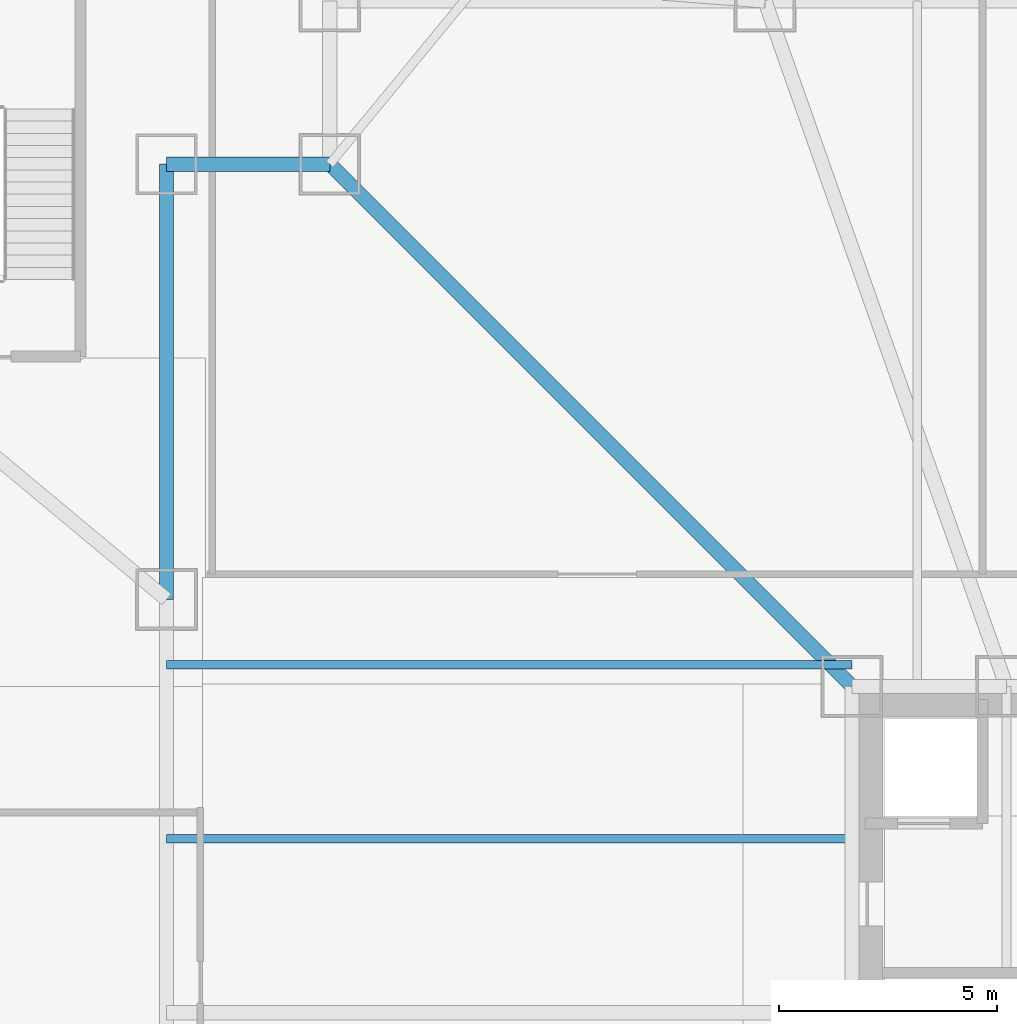
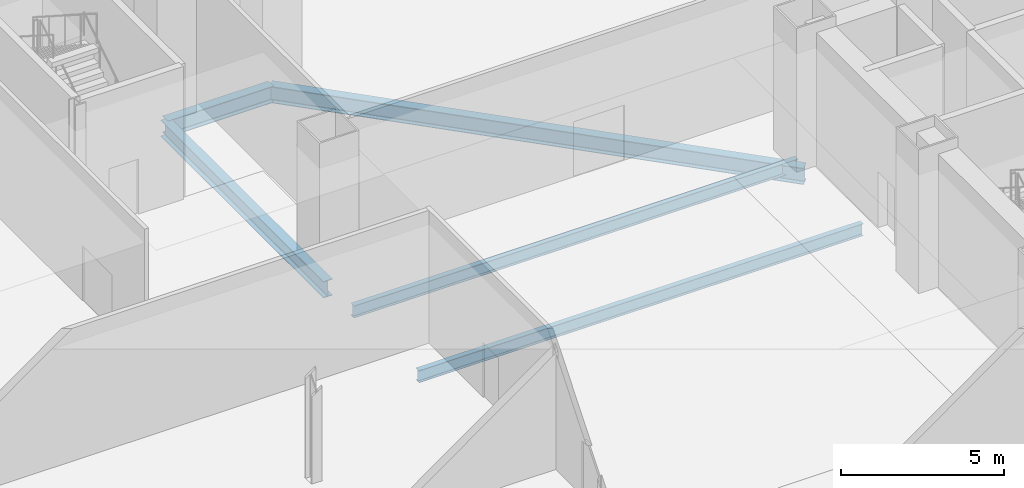
# One storey, part 12 of 36: 5 beams.
"""IFC4 building model written with IfcOpenShell, lengths in metres."""

import ifcopenshell
import ifcopenshell.guid

model = None  # the IFC model being written
_history = None  # IfcOwnerHistory: only IFC2X3 demands one
_inside = {}  # id of a spatial element -> (the spatial element, [elements in it])
_under = {}  # id of a project, library or spatial element -> (it, [spatial elements below it])
_declared = {}  # id of a project -> (the project, [libraries it declares])
_typed = {}  # id of a type object -> (the type object, [elements of that type])
_made_of = {}  # id of a material, layer set ... -> (it, [elements and type objects made of it])


def new_model(schema):
    """Start an empty IFC model of exactly this schema.

    Asked for "IFC4X3", IfcOpenShell would pick the latest addendum, in which some entities
    have other attributes; the version numbers below select the first issue.
    IFC2X3 requires an IfcOwnerHistory on every rooted entity: one is made here for all.
    """
    global model, _history
    if schema == "IFC4X3":
        model = ifcopenshell.file(schema_version=(4, 3, 0, 0))
    else:
        model = ifcopenshell.file(schema=schema)
    _inside.clear()
    _under.clear()
    _declared.clear()
    _typed.clear()
    _made_of.clear()
    _history = None
    if model.schema == "IFC2X3":
        org = make("IfcOrganization", Name="unknown")
        user = make(
            "IfcPersonAndOrganization",
            ThePerson=make("IfcPerson", FamilyName="unknown"),
            TheOrganization=org,
        )
        app = make(
            "IfcApplication",
            ApplicationDeveloper=org,
            Version="unknown",
            ApplicationFullName="unknown",
            ApplicationIdentifier="unknown",
        )
        _history = make(
            "IfcOwnerHistory",
            OwningUser=user,
            OwningApplication=app,
            ChangeAction="ADDED",
            CreationDate=0,
        )
    return model


def make(cls, **values):
    """One entity of the class cls with the attributes given. An attribute that is None is left unset."""
    return model.create_entity(
        cls, **{name: value for name, value in values.items() if value is not None}
    )


def rooted(cls, **values):
    """An entity with a GlobalId (a new one), such as an element, a storey or a relation."""
    return make(cls, GlobalId=ifcopenshell.guid.new(), OwnerHistory=_history, **values)


def si_unit(unit_type, name, prefix=None):
    """IfcSIUnit, for example si_unit("LENGTHUNIT", "METRE", prefix="MILLI")."""
    return make("IfcSIUnit", UnitType=unit_type, Prefix=prefix, Name=name)


def assignment(units):
    """IfcUnitAssignment: the units of a project."""
    return None if units is None else make("IfcUnitAssignment", Units=units)


def point(xyz):
    """IfcCartesianPoint."""
    return None if xyz is None else make("IfcCartesianPoint", Coordinates=xyz)


def direction(xyz):
    """IfcDirection."""
    return None if xyz is None else make("IfcDirection", DirectionRatios=xyz)


def frame(location, z_axis=None, x_axis=None):
    """IfcAxis2Placement3D, a coordinate frame: its origin and axes. An axis left out is left unset."""
    return make(
        "IfcAxis2Placement3D",
        Location=point(location),
        Axis=direction(z_axis),
        RefDirection=direction(x_axis),
    )


def frame_2d(location, x_axis=None):
    """IfcAxis2Placement2D, a coordinate frame in the plane: its origin and x axis."""
    return make(
        "IfcAxis2Placement2D", Location=point(location), RefDirection=direction(x_axis)
    )


def origin():
    """The frame at (0, 0, 0) with its axes left unset."""
    return frame((0.0, 0.0, 0.0))


def origin_2d():
    """The frame at (0, 0) in the plane with its x axis left unset."""
    return frame_2d((0.0, 0.0))


def place(relative_to, where):
    """IfcLocalPlacement: puts the frame where relative to a parent placement (None: the world)."""
    return make(
        "IfcLocalPlacement", PlacementRelTo=relative_to, RelativePlacement=where
    )


def context(
    kind, dimensions, precision=None, world=None, true_north=None, identifier=None
):
    """IfcGeometricRepresentationContext, for example the 3D "Model" context."""
    return make(
        "IfcGeometricRepresentationContext",
        ContextIdentifier=identifier,
        ContextType=kind,
        CoordinateSpaceDimension=dimensions,
        Precision=precision,
        WorldCoordinateSystem=world,
        TrueNorth=true_north,
    )


def subcontext(parent, identifier, kind, view, scale=None):
    """IfcGeometricRepresentationSubContext, for example "Body" below "Model"."""
    return make(
        "IfcGeometricRepresentationSubContext",
        ContextIdentifier=identifier,
        ContextType=kind,
        ParentContext=parent,
        TargetScale=scale,
        TargetView=view,
    )


def project(units=None, contexts=None):
    """IfcProject with its units and contexts."""
    return rooted(
        "IfcProject",
        Name="project",
        RepresentationContexts=contexts,
        UnitsInContext=assignment(units),
    )


def spatial(cls, under=None, at=None, **own):
    """A site, building, storey or space (cls), placed at a placement, below another one or the project."""
    s = rooted(cls, ObjectPlacement=at, **own)
    if under is not None:
        _under.setdefault(under.id(), (under, []))[1].append(s)
    return s


def profile(cls, at=None, kind="AREA", **sizes):
    """A parametric profile (cls). Its sizes go by their IFC names, for example OverallWidth=200.0."""
    return make(cls, ProfileType=kind, Position=at, **sizes)


def i_section(**sizes):
    """IfcIShapeProfileDef."""
    return profile("IfcIShapeProfileDef", **sizes)


def extrude(swept, where, along, depth):
    """IfcExtrudedAreaSolid: the profile swept, set in the frame where, extruded along a direction by depth."""
    return make(
        "IfcExtrudedAreaSolid",
        SweptArea=swept,
        Position=where,
        ExtrudedDirection=direction(along),
        Depth=depth,
    )


def shape(context_of_items, identifier, shape_type, items):
    """IfcShapeRepresentation: the items that make up one representation, for example the "Body"."""
    return make(
        "IfcShapeRepresentation",
        ContextOfItems=context_of_items,
        RepresentationIdentifier=identifier,
        RepresentationType=shape_type,
        Items=items,
    )


def material(Name=None, Category=None):
    """IfcMaterial."""
    return make("IfcMaterial", Name=Name, Category=Category)


def material_profile(
    of_material, cross_section, Name=None, Category=None, Priority=None
):
    """IfcMaterialProfile: a cross section and its material."""
    return make(
        "IfcMaterialProfile",
        Name=Name,
        Material=of_material,
        Profile=cross_section,
        Priority=Priority,
        Category=Category,
    )


def profile_set(profiles, Name=None, composite=None):
    """IfcMaterialProfileSet."""
    return make(
        "IfcMaterialProfileSet",
        Name=Name,
        MaterialProfiles=profiles,
        CompositeProfile=composite,
    )


def made_of(thing, what):
    """Note that an element or type object is made of a material, layer set ...; save() writes the relation."""
    if what is not None:
        _made_of.setdefault(what.id(), (what, []))[1].append(thing)
    return thing


def type_object(cls, material=None, **own):
    """A type object (cls), such as IfcWallType, which elements share."""
    return made_of(rooted(cls, **own), material)


def element(
    cls,
    number,
    at=None,
    inside=None,
    cuts=None,
    type_object=None,
    material=None,
    context=None,
    identifier="Body",
    shape_type=None,
    held_by="IfcProductDefinitionShape",
    body=None,
    shapes=None,
    **own,
):
    """One element of the class cls, such as IfcWall. Its Tag is "e" and its number.

    at: its placement. inside: the storey or other place that contains it. cuts: it is an
    opening in that element (IfcRelVoidsElement). A single representation is given by context,
    identifier, shape_type and body (its items); several are given by shapes. held_by: the class
    of the entity that holds the representations. save() writes the other relations.
    """
    e = rooted(cls, Tag="e%d" % number, ObjectPlacement=at, **own)
    if body is not None:
        shapes = [shape(context, identifier, shape_type, body)]
    if shapes is not None:
        e.Representation = make(held_by, Representations=shapes)
    if inside is not None:
        _inside.setdefault(inside.id(), (inside, []))[1].append(e)
    if cuts is not None:
        rooted(
            "IfcRelVoidsElement", RelatingBuildingElement=cuts, RelatedOpeningElement=e
        )
    if type_object is not None:
        _typed.setdefault(type_object.id(), (type_object, []))[1].append(e)
    return made_of(e, material)


def aggregate(whole, parts):
    """IfcRelAggregates: a whole, such as a stair, and the parts it consists of."""
    return rooted("IfcRelAggregates", RelatingObject=whole, RelatedObjects=parts)


def save(model, path):
    """Write the relations noted so far, then the file.

    IfcRelAggregates (storeys below a building ...), IfcRelContainedInSpatialStructure (elements
    in a storey), IfcRelDefinesByType, IfcRelAssociatesMaterial and IfcRelDeclares: one each for
    every whole, place, type object, material and project.
    """
    for whole, parts in _under.values():
        aggregate(whole, parts)
    for where, things in _inside.values():
        rooted(
            "IfcRelContainedInSpatialStructure",
            RelatedElements=things,
            RelatingStructure=where,
        )
    for kind, things in _typed.values():
        rooted("IfcRelDefinesByType", RelatedObjects=things, RelatingType=kind)
    for what, things in _made_of.values():
        rooted("IfcRelAssociatesMaterial", RelatedObjects=things, RelatingMaterial=what)
    for by, libraries in _declared.values():
        rooted("IfcRelDeclares", RelatingContext=by, RelatedDefinitions=libraries)
    model.write(path)


model = new_model("IFC4")

# Units and contexts
model_context = context("Model", 3, precision=1e-05, world=origin(), true_north=direction((0.0, 1.0)))
body_context = subcontext(model_context, "Body", "Model", "MODEL_VIEW")
ifc_project = project(units=[si_unit("LENGTHUNIT", "METRE"), si_unit("AREAUNIT", "SQUARE_METRE"), si_unit("VOLUMEUNIT", "CUBIC_METRE"), si_unit("PLANEANGLEUNIT", "RADIAN"), si_unit("MASSUNIT", "GRAM", prefix="KILO")], contexts=[model_context])

# Site, building, storey
site_placement = place(None, origin())
site = spatial("IfcSite", under=ifc_project, at=site_placement, CompositionType="ELEMENT")
building_placement = place(site_placement, origin())
building = spatial("IfcBuilding", under=site, at=building_placement, Name="Trevonay Congress Spire", CompositionType="ELEMENT")
storey_placement = place(building_placement, frame((0.0, 0.0, 5.39990234375)))
storey = spatial("IfcBuildingStorey", under=building, at=storey_placement, Name="L01", CompositionType="ELEMENT", Elevation=5.39990234375)

# Beams
ifc_material = material(Name="Steel ASTM A572 Grade 50", Category="steel")
ifc_material_profile_1 = material_profile(ifc_material, i_section(OverallWidth=0.324951171875, OverallDepth=0.615966796875, WebThickness=0.013916015625, FlangeThickness=0.021484375, FilletRadius=0.01806640625, at=origin_2d()), Name="W610x174")
ifc_profile_set_1 = profile_set([ifc_material_profile_1], Name="Steel ASTM A572 Grade 50")
beam_type_1 = type_object("IfcBeamType", Name="BM-GIRD-W610X174", PredefinedType="BEAM", material=ifc_profile_set_1)
beam_1_placement = place(storey_placement, frame((-23.25, 9.5, -0.7080078125), z_axis=(0.0, 1.0, 0.0), x_axis=(-1.0, 0.0, 0.0)))
element("IfcBeam", 1, at=beam_1_placement, inside=storey, type_object=beam_type_1, Name="L01 structural beam BM-L01-MW3", PredefinedType="BEAM", context=body_context, shape_type="SweptSolid", body=[
    extrude(i_section(OverallWidth=0.324951171875, OverallDepth=0.615966796875, WebThickness=0.013916015625, FlangeThickness=0.021484375, FilletRadius=0.01806640625, at=origin_2d()), origin(), (0.0, 0.0, 1.0), 10.0),
])
beam_2_placement = place(storey_placement, frame((-23.25, 19.5, -0.7080078125), z_axis=(1.0, 0.0, 0.0), x_axis=(0.0, 1.0, 0.0)))
element("IfcBeam", 2, at=beam_2_placement, inside=storey, type_object=beam_type_1, Name="L01 structural beam BM-L01-CWN", PredefinedType="BEAM", context=body_context, shape_type="SweptSolid", body=[
    extrude(i_section(OverallWidth=0.324951171875, OverallDepth=0.615966796875, WebThickness=0.013916015625, FlangeThickness=0.021484375, FilletRadius=0.01806640625, at=origin_2d()), origin(), (0.0, 0.0, 1.0), 3.75),
])
beam_3_placement = place(storey_placement, frame((-7.5, 7.5, -0.7080078125), z_axis=(-0.707106781187, 0.707106781187, 0.0), x_axis=(-0.707106781187, -0.707106781187, 0.0)))
element("IfcBeam", 3, at=beam_3_placement, inside=storey, type_object=beam_type_1, Name="L01 structural beam BM-L01-RAD-NW", PredefinedType="BEAM", context=body_context, shape_type="SweptSolid", body=[
    extrude(i_section(OverallWidth=0.324951171875, OverallDepth=0.615966796875, WebThickness=0.013916015625, FlangeThickness=0.021484375, FilletRadius=0.01806640625, at=origin_2d()), origin(), (0.0, 0.0, 1.0), 16.970458984375),
])
ifc_material_profile_2 = material_profile(ifc_material, i_section(OverallWidth=0.18994140625, OverallDepth=0.45703125, WebThickness=0.009033203125, FlangeThickness=0.014404296875, FilletRadius=0.013916015625, at=origin_2d()), Name="W460x74")
ifc_profile_set_2 = profile_set([ifc_material_profile_2], Name="Steel ASTM A572 Grade 50")
beam_type_2 = type_object("IfcBeamType", Name="JS-COMP-W460X74", PredefinedType="JOIST", material=ifc_profile_set_2)
for number, where, z_axis, x_axis, name in (
    (4, (-23.25, 4.0, -0.62841796875), (1.0, 0.0, 0.0), (0.0, 1.0, 0.0), "L01 structural beam JS-L01-WH3"),
    (5, (-23.25, 8.0, -0.62841796875), (1.0, 0.0, 0.0), (0.0, 1.0, 0.0), "L01 structural beam JS-L01-WH4"),
):
    element("IfcBeam", number, at=place(storey_placement, frame(where, z_axis=z_axis, x_axis=x_axis)), inside=storey, type_object=beam_type_2, Name=name, PredefinedType="JOIST", context=body_context, shape_type="SweptSolid", body=[
        extrude(i_section(OverallWidth=0.18994140625, OverallDepth=0.45703125, WebThickness=0.009033203125, FlangeThickness=0.014404296875, FilletRadius=0.013916015625, at=origin_2d()), origin(), (0.0, 0.0, 1.0), 15.75),
    ])

save(model, "model.ifc")
